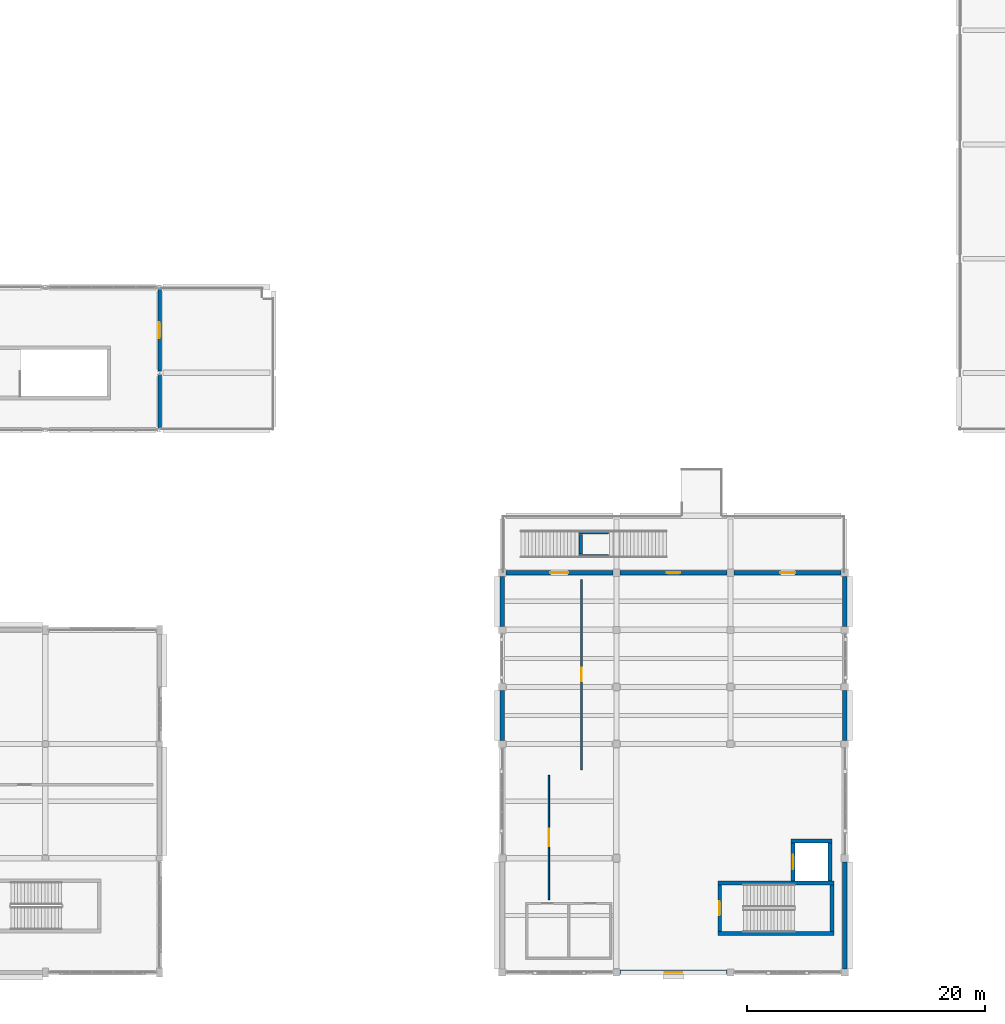
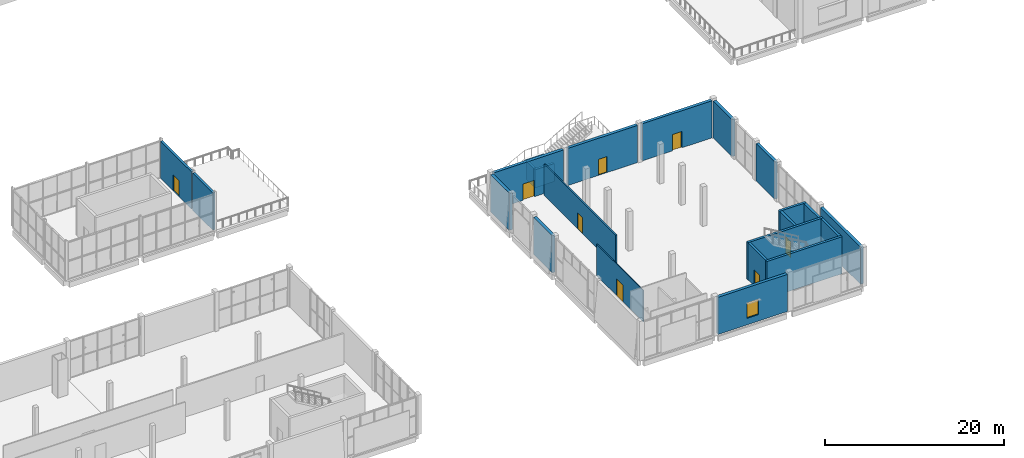
# One storey, part 55 of 83: 23 walls, 8 doors, 1 window, 9 openings.
"""IFC4 building model written with IfcOpenShell, lengths in metres."""

from ifc_helpers import new_model, si_unit, direction, frame, frame_2d, origin, place, context, subcontext, project, spatial, rectangle, extrude, material, layer, layer_set, type_object, element, fill, save


model = new_model("IFC4")

# Units and contexts
model_context = context("Model", 3, precision=1e-05, world=origin(), true_north=direction((0.0, 1.0)))
body_context = subcontext(model_context, "Body", "Model", "MODEL_VIEW")
ifc_project = project(units=[si_unit("LENGTHUNIT", "METRE"), si_unit("AREAUNIT", "SQUARE_METRE"), si_unit("VOLUMEUNIT", "CUBIC_METRE"), si_unit("PLANEANGLEUNIT", "RADIAN"), si_unit("MASSUNIT", "GRAM", prefix="KILO")], contexts=[model_context])

# Site, building, storey
site_placement = place(None, origin())
site = spatial("IfcSite", under=ifc_project, at=site_placement, CompositionType="ELEMENT")
building_placement = place(site_placement, origin())
building = spatial("IfcBuilding", under=site, at=building_placement, Name="Shalvenor Court Art Gallery", CompositionType="ELEMENT")
storey_placement = place(building_placement, frame((0.0, 0.0, 6.0)))
storey = spatial("IfcBuildingStorey", under=building, at=storey_placement, Name="L01", CompositionType="ELEMENT", Elevation=6.0)

# Walls
ifc_material_1 = material(Name="Concrete C40/50", Category="concrete")
ifc_layer_1 = layer(ifc_material_1, 0.31005859375, Name="Concrete C40/50")
ifc_layer_set_1 = layer_set([ifc_layer_1], Name="Concrete C40/50")
wall_type_1 = type_object("IfcWallType", Name="CW-W2", PredefinedType="SHEAR", material=ifc_layer_set_1)
wall_1_placement = place(storey_placement, frame((114.1279296875, 7.51708984375, 0.0), z_axis=(0.0, 0.0, 1.0), x_axis=(1.0, 0.0, 0.0)))
element("IfcWall", 1, at=wall_1_placement, inside=storey, type_object=wall_type_1, Name="L01 C4 Stair Core Shear Wall N", PredefinedType="SHEAR", context=body_context, shape_type="SweptSolid", body=[
    extrude(rectangle(XDim=9.744140625, YDim=0.31005859375, at=frame_2d((4.8720703125, 0.0))), origin(), (0.0, 0.0, 1.0), 5.080078125),
])
wall_2_placement = place(storey_placement, frame((123.717041015625, 7.362060546875, 0.0), z_axis=(0.0, 0.0, 1.0), x_axis=(0.0, -1.0, 0.0)))
element("IfcWall", 2, at=wall_2_placement, inside=storey, type_object=wall_type_1, Name="L01 C4 Stair Core Shear Wall E", PredefinedType="SHEAR", context=body_context, shape_type="SweptSolid", body=[
    extrude(rectangle(XDim=3.924072265625, YDim=0.31005859375, at=frame_2d((1.9619140625, 0.0))), origin(), (0.0, 0.0, 1.0), 5.080078125),
])
wall_3_placement = place(storey_placement, frame((123.8720703125, 3.282958984375, 0.0), z_axis=(0.0, 0.0, 1.0), x_axis=(-1.0, 0.0, 0.0)))
element("IfcWall", 3, at=wall_3_placement, inside=storey, type_object=wall_type_1, Name="L01 C4 Stair Core Shear Wall S", PredefinedType="SHEAR", context=body_context, shape_type="SweptSolid", body=[
    extrude(rectangle(XDim=9.744140625, YDim=0.31005859375, at=frame_2d((4.8720703125, 0.0))), origin(), (0.0, 0.0, 1.0), 5.080078125),
])

# Wall, opening, door
wall_4_placement = place(storey_placement, frame((114.282958984375, 3.43798828125, 0.0), z_axis=(0.0, 0.0, 1.0), x_axis=(0.0, 1.0, 0.0)))
wall_4 = element("IfcWall", 4, at=wall_4_placement, inside=storey, type_object=wall_type_1, Name="L01 C4 Stair Core Shear Wall W", PredefinedType="SHEAR", context=body_context, shape_type="SweptSolid", body=[
    extrude(rectangle(XDim=3.924072265625, YDim=0.31005859375, at=frame_2d((1.9619140625, 0.0))), origin(), (0.0, 0.0, 1.0), 5.080078125),
])
opening_1_placement = place(wall_4_placement, frame((1.362060546875, 0.0, 0.0)))
opening_1 = element("IfcOpeningElement", 5, at=opening_1_placement, cuts=wall_4, Name="Opening FD-01", PredefinedType="OPENING", context=body_context, shape_type="SweptSolid", body=[
    extrude(rectangle(XDim=1.199951171875, YDim=2.199951171875, at=frame_2d((0.60009765625, 1.10009765625))), frame((0.0, 0.1650390625, 0.0), z_axis=(0.0, -1.0, 0.0), x_axis=(1.0, 0.0, 0.0)), (0.0, 0.0, 1.0), 0.330078125),
])
ifc_material_2 = material(Name="Fire-rated steel stair doorset", Category="steel")
door_type_1 = type_object("IfcDoorType", Name="FD-01", OperationType="NOTDEFINED", PredefinedType="DOOR", material=ifc_material_2)
door_1_placement = place(opening_1_placement, origin())
door_1 = element("IfcDoor", 6, at=door_1_placement, inside=storey, type_object=door_type_1, Name="DR-ST-L01-C4 L01 ST-04 Fire Stair Door", OperationType="SINGLE_SWING_RIGHT", OverallHeight=2.199951171875, OverallWidth=1.199951171875, PredefinedType="DOOR", context=body_context, shape_type="SweptSolid", body=[
    extrude(rectangle(XDim=1.199951171875, YDim=2.199951171875, at=frame_2d((0.60009765625, 1.10009765625))), frame((0.0, 0.02490234375, 0.0), z_axis=(0.0, -1.0, 0.0), x_axis=(1.0, 0.0, 0.0)), (0.0, 0.0, 1.0), 0.050048828125),
])
fill(opening_1, door_1)

# Walls
wall_5_placement = place(storey_placement, frame((120.2900390625, 11.054931640625, 0.0), z_axis=(0.0, 0.0, 1.0), x_axis=(1.0, 0.0, 0.0)))
element("IfcWall", 7, at=wall_5_placement, inside=storey, type_object=wall_type_1, Name="L01 PL-02 Lift Shaft Wall N", PredefinedType="SHEAR", context=body_context, shape_type="SweptSolid", body=[
    extrude(rectangle(XDim=3.419921875, YDim=0.31005859375, at=frame_2d((1.7099609375, 0.0))), origin(), (0.0, 0.0, 1.0), 5.080078125),
])
wall_6_placement = place(storey_placement, frame((123.554931640625, 10.89990234375, 0.0), z_axis=(0.0, 0.0, 1.0), x_axis=(0.0, -1.0, 0.0)))
element("IfcWall", 8, at=wall_6_placement, inside=storey, type_object=wall_type_1, Name="L01 PL-02 Lift Shaft Wall E", PredefinedType="SHEAR", context=body_context, shape_type="SweptSolid", body=[
    extrude(rectangle(XDim=3.227783203125, YDim=0.31005859375, at=frame_2d((1.61376953125, 0.0))), origin(), (0.0, 0.0, 1.0), 5.080078125),
])

# Wall, opening, door
wall_7_placement = place(storey_placement, frame((120.445068359375, 7.672119140625, 0.0), z_axis=(0.0, 0.0, 1.0), x_axis=(0.0, 1.0, 0.0)))
wall_7 = element("IfcWall", 9, at=wall_7_placement, inside=storey, type_object=wall_type_1, Name="L01 PL-02 Lift Shaft Wall W", PredefinedType="SHEAR", context=body_context, shape_type="SweptSolid", body=[
    extrude(rectangle(XDim=3.227783203125, YDim=0.31005859375, at=frame_2d((1.61376953125, 0.0))), origin(), (0.0, 0.0, 1.0), 5.080078125),
])
opening_2_placement = place(wall_7_placement, frame((1.013916015625, 0.0, 0.0)))
opening_2 = element("IfcOpeningElement", 10, at=opening_2_placement, cuts=wall_7, Name="Opening LD-02", PredefinedType="OPENING", context=body_context, shape_type="SweptSolid", body=[
    extrude(rectangle(XDim=1.199951171875, YDim=2.199951171875, at=frame_2d((0.60009765625, 1.10009765625))), frame((0.0, 0.1650390625, 0.0), z_axis=(0.0, -1.0, 0.0), x_axis=(1.0, 0.0, 0.0)), (0.0, 0.0, 1.0), 0.330078125),
])
ifc_material_3 = material(Name="Brushed stainless passenger lift sliding landing door", Category="steel")
door_type_2 = type_object("IfcDoorType", Name="LD-02", OperationType="NOTDEFINED", PredefinedType="DOOR", material=ifc_material_3)
door_2_placement = place(opening_2_placement, origin())
door_2 = element("IfcDoor", 11, at=door_2_placement, inside=storey, type_object=door_type_2, Name="DR-LD-L01-PL-02 L01 PL-02 Lift Landing Sliding Door", OperationType="DOUBLE_DOOR_SLIDING", OverallHeight=2.199951171875, OverallWidth=1.199951171875, PredefinedType="DOOR", context=body_context, shape_type="SweptSolid", body=[
    extrude(rectangle(XDim=1.199951171875, YDim=2.199951171875, at=frame_2d((0.60009765625, 1.10009765625))), frame((0.0, 0.02490234375, 0.0), z_axis=(0.0, -1.0, 0.0), x_axis=(1.0, 0.0, 0.0)), (0.0, 0.0, 1.0), 0.050048828125),
])
fill(opening_2, door_2)

# Walls
ifc_material_4 = material(Name="Concrete C40/50", Category="concrete")
ifc_layer_2 = layer(ifc_material_4, 0.31005859375, Name="Concrete C40/50")
ifc_layer_set_2 = layer_set([ifc_layer_2], Name="Concrete C40/50")
wall_type_2 = type_object("IfcWallType", Name="CW-W4", PredefinedType="SHEAR", material=ifc_layer_set_2)
for number, where, z_axis, x_axis, name in (
    (12, (102.449951171875, 35.0, 0.0), (0.0, 0.0, 1.0), (1.0, 0.0, 0.0), "L01 ST-T3 Terrace Stair Support Pier S"),
    (13, (104.949951171875, 37.0, 0.0), (0.0, 0.0, 1.0), (-1.0, 0.0, 0.0), "L01 ST-T3 Terrace Stair Support Pier N"),
):
    element("IfcWall", number, at=place(storey_placement, frame(where, z_axis=z_axis, x_axis=x_axis)), inside=storey, type_object=wall_type_2, Name=name, PredefinedType="SHEAR", context=body_context, shape_type="SweptSolid", body=[
        extrude(rectangle(XDim=2.5, YDim=0.31005859375, at=frame_2d((1.25, 0.0))), origin(), (0.0, 0.0, 1.0), 2.485107421875),
    ])
wall_8_placement = place(storey_placement, frame((102.60009765625, 35.169921875, 0.0), z_axis=(0.0, 0.0, 1.0), x_axis=(0.0, 1.0, 0.0)))
element("IfcWall", 14, at=wall_8_placement, inside=storey, type_object=wall_type_2, Name="L01 ST-T3 Terrace Stair Support Pier W", PredefinedType="SHEAR", context=body_context, shape_type="SweptSolid", body=[
    extrude(rectangle(XDim=1.66015625, YDim=0.31005859375, at=frame_2d((0.830078125, 0.0))), origin(), (0.0, 0.0, 1.0), 2.485107421875),
])

# Wall, opening, door
ifc_material_5 = material(Name="Concrete C40/50", Category="concrete")
ifc_layer_3 = layer(ifc_material_5, 0.3798828125, Name="Concrete C40/50")
ifc_layer_set_3 = layer_set([ifc_layer_3], Name="Concrete C40/50")
wall_type_3 = type_object("IfcWallType", Name="EW-03", PredefinedType="SOLIDWALL", material=ifc_layer_set_3)
wall_9_placement = place(storey_placement, frame((96.300048828125, 33.60009765625, 0.0), z_axis=(0.0, 0.0, 1.0), x_axis=(1.0, 0.0, 0.0)))
wall_9 = element("IfcWall", 15, at=wall_9_placement, inside=storey, type_object=wall_type_3, Name="L01 V3 Exterior Wall WL-L01-0188", PredefinedType="SOLIDWALL", context=body_context, shape_type="SweptSolid", body=[
    extrude(rectangle(XDim=9.0, YDim=0.3798828125, at=frame_2d((4.5, 0.0))), origin(), (0.0, 0.0, 1.0), 5.080078125),
])
opening_3_placement = place(wall_9_placement, frame((3.75, 0.0, 0.0)))
opening_3 = element("IfcOpeningElement", 16, at=opening_3_placement, cuts=wall_9, Name="Opening TD-02", PredefinedType="OPENING", context=body_context, shape_type="SweptSolid", body=[
    extrude(rectangle(XDim=1.5, YDim=2.25, at=frame_2d((0.75, 1.125))), frame((0.0, 0.199951171875, 0.0), z_axis=(0.0, -1.0, 0.0), x_axis=(1.0, 0.0, 0.0)), (0.0, 0.0, 1.0), 0.39990234375),
])
ifc_material_6 = material(Name="Anodised aluminium glazed terrace door", Category="aluminium")
door_type_3 = type_object("IfcDoorType", Name="TD-02", OperationType="NOTDEFINED", PredefinedType="DOOR", material=ifc_material_6)
door_3_placement = place(opening_3_placement, origin())
door_3 = element("IfcDoor", 17, at=door_3_placement, inside=storey, type_object=door_type_3, Name="DR-TR-032 L01 Gallery Terrace Door", OperationType="DOUBLE_DOOR_SINGLE_SWING", OverallHeight=2.25, OverallWidth=1.5, PredefinedType="DOOR", context=body_context, shape_type="SweptSolid", body=[
    extrude(rectangle(XDim=1.5, YDim=2.25, at=frame_2d((0.75, 1.125))), frame((0.0, 0.02490234375, 0.0), z_axis=(0.0, -1.0, 0.0), x_axis=(1.0, 0.0, 0.0)), (0.0, 0.0, 1.0), 0.050048828125),
])
fill(opening_3, door_3)

wall_10_placement = place(storey_placement, frame((105.89990234375, 33.60009765625, 0.0), z_axis=(0.0, 0.0, 1.0), x_axis=(1.0, 0.0, 0.0)))
wall_10 = element("IfcWall", 18, at=wall_10_placement, inside=storey, type_object=wall_type_3, Name="L01 V3 Exterior Wall WL-L01-0189", PredefinedType="SOLIDWALL", context=body_context, shape_type="SweptSolid", body=[
    extrude(rectangle(XDim=9.0, YDim=0.3798828125, at=frame_2d((4.5, 0.0))), origin(), (0.0, 0.0, 1.0), 5.080078125),
])
opening_4_placement = place(wall_10_placement, frame((3.949951171875, 0.0, 0.0)))
opening_4 = element("IfcOpeningElement", 19, at=opening_4_placement, cuts=wall_10, Name="Opening TD-03", PredefinedType="OPENING", context=body_context, shape_type="SweptSolid", body=[
    extrude(rectangle(XDim=1.10009765625, YDim=2.199951171875, at=frame_2d((0.550048828125, 1.10009765625))), frame((0.0, 0.199951171875, 0.0), z_axis=(0.0, -1.0, 0.0), x_axis=(1.0, 0.0, 0.0)), (0.0, 0.0, 1.0), 0.39990234375),
])
ifc_material_7 = material(Name="Anodised aluminium glazed terrace door", Category="aluminium")
door_type_4 = type_object("IfcDoorType", Name="TD-03", OperationType="NOTDEFINED", PredefinedType="DOOR", material=ifc_material_7)
door_4_placement = place(opening_4_placement, origin())
door_4 = element("IfcDoor", 20, at=door_4_placement, inside=storey, type_object=door_type_4, Name="DR-TR-033 L01 Gallery Terrace Door", OperationType="SINGLE_SWING_RIGHT", OverallHeight=2.199951171875, OverallWidth=1.10009765625, PredefinedType="DOOR", context=body_context, shape_type="SweptSolid", body=[
    extrude(rectangle(XDim=1.10009765625, YDim=2.199951171875, at=frame_2d((0.550048828125, 1.10009765625))), frame((0.0, 0.02490234375, 0.0), z_axis=(0.0, -1.0, 0.0), x_axis=(1.0, 0.0, 0.0)), (0.0, 0.0, 1.0), 0.050048828125),
])
fill(opening_4, door_4)

wall_11_placement = place(storey_placement, frame((115.5, 33.60009765625, 0.0), z_axis=(0.0, 0.0, 1.0), x_axis=(1.0, 0.0, 0.0)))
wall_11 = element("IfcWall", 21, at=wall_11_placement, inside=storey, type_object=wall_type_3, Name="L01 V3 Exterior Wall WL-L01-0190", PredefinedType="SOLIDWALL", context=body_context, shape_type="SweptSolid", body=[
    extrude(rectangle(XDim=9.0, YDim=0.3798828125, at=frame_2d((4.5, 0.0))), origin(), (0.0, 0.0, 1.0), 5.080078125),
])
opening_5_placement = place(wall_11_placement, frame((3.875, 0.0, 0.0)))
opening_5 = element("IfcOpeningElement", 22, at=opening_5_placement, cuts=wall_11, Name="Opening TD-04", PredefinedType="OPENING", context=body_context, shape_type="SweptSolid", body=[
    extrude(rectangle(XDim=1.25, YDim=2.25, at=frame_2d((0.625, 1.125))), frame((0.0, 0.199951171875, 0.0), z_axis=(0.0, -1.0, 0.0), x_axis=(1.0, 0.0, 0.0)), (0.0, 0.0, 1.0), 0.39990234375),
])
ifc_material_8 = material(Name="Anodised aluminium glazed terrace door", Category="aluminium")
door_type_5 = type_object("IfcDoorType", Name="TD-04", OperationType="NOTDEFINED", PredefinedType="DOOR", material=ifc_material_8)
door_5_placement = place(opening_5_placement, origin())
door_5 = element("IfcDoor", 23, at=door_5_placement, inside=storey, type_object=door_type_5, Name="DR-TR-034 L01 Gallery Terrace Door", OperationType="SINGLE_SWING_LEFT", OverallHeight=2.25, OverallWidth=1.25, PredefinedType="DOOR", context=body_context, shape_type="SweptSolid", body=[
    extrude(rectangle(XDim=1.25, YDim=2.25, at=frame_2d((0.625, 1.125))), frame((0.0, 0.02490234375, 0.0), z_axis=(0.0, -1.0, 0.0), x_axis=(1.0, 0.0, 0.0)), (0.0, 0.0, 1.0), 0.050048828125),
])
fill(opening_5, door_5)

# Walls
for number, where, z_axis, x_axis, name in (
    (24, (124.800048828125, 33.300048828125, 0.0), (0.0, 0.0, 1.0), (0.0, -1.0, 0.0), "L01 V3 Exterior Wall WL-L01-0191"),
    (25, (124.800048828125, 23.699951171875, 0.0), (0.0, 0.0, 1.0), (0.0, -1.0, 0.0), "L01 V3 Exterior Wall WL-L01-0192"),
):
    element("IfcWall", number, at=place(storey_placement, frame(where, z_axis=z_axis, x_axis=x_axis)), inside=storey, type_object=wall_type_3, Name=name, PredefinedType="SOLIDWALL", context=body_context, shape_type="SweptSolid", body=[
        extrude(rectangle(XDim=4.199951171875, YDim=0.3798828125, at=frame_2d((2.10009765625, 0.0))), origin(), (0.0, 0.0, 1.0), 5.080078125),
    ])
wall_12_placement = place(storey_placement, frame((124.800048828125, 9.300048828125, 0.0), z_axis=(0.0, 0.0, 1.0), x_axis=(0.0, -1.0, 0.0)))
element("IfcWall", 26, at=wall_12_placement, inside=storey, type_object=wall_type_3, Name="L01 V3 Exterior Wall WL-L01-0193", PredefinedType="SOLIDWALL", context=body_context, shape_type="SweptSolid", body=[
    extrude(rectangle(XDim=9.0, YDim=0.3798828125, at=frame_2d((4.5, 0.0))), origin(), (0.0, 0.0, 1.0), 5.080078125),
])

# Wall, opening, window
wall_13_placement = place(storey_placement, frame((114.89990234375, 0.0, 0.0), z_axis=(0.0, 0.0, 1.0), x_axis=(-1.0, 0.0, 0.0)))
wall_13 = element("IfcWall", 27, at=wall_13_placement, inside=storey, type_object=wall_type_3, Name="L01 V3 Exterior Wall WL-L01-0194", PredefinedType="SOLIDWALL", context=body_context, shape_type="SweptSolid", body=[
    extrude(rectangle(XDim=9.0, YDim=0.3798828125, at=frame_2d((4.5, 0.0))), origin(), (0.0, 0.0, 1.0), 5.080078125),
])
opening_6_placement = place(wall_13_placement, frame((3.75, 0.0, 0.89990234375)))
opening_6 = element("IfcOpeningElement", 28, at=opening_6_placement, cuts=wall_13, Name="Opening WN-07", PredefinedType="OPENING", context=body_context, shape_type="SweptSolid", body=[
    extrude(rectangle(XDim=1.5, YDim=2.10009765625, at=frame_2d((0.75, 1.050048828125))), frame((0.0, 0.199951171875, 0.0), z_axis=(0.0, -1.0, 0.0), x_axis=(1.0, 0.0, 0.0)), (0.0, 0.0, 1.0), 0.39990234375),
])
ifc_material_9 = material(Name="Low-iron solar-control double IGU", Category="glass")
window_type = type_object("IfcWindowType", Name="WN-07", PartitioningType="SINGLE_PANEL", PredefinedType="WINDOW", material=ifc_material_9)
window_placement = place(opening_6_placement, origin())
window = element("IfcWindow", 29, at=window_placement, inside=storey, type_object=window_type, Name="L01 Window WIN-L01-0051", OverallHeight=2.10009765625, OverallWidth=1.5, PartitioningType="SINGLE_PANEL", PredefinedType="WINDOW", context=body_context, shape_type="SweptSolid", body=[
    extrude(rectangle(XDim=1.5, YDim=2.10009765625, at=frame_2d((0.75, 1.050048828125))), frame((0.0, 0.030029296875, 0.0), z_axis=(0.0, -1.0, 0.0), x_axis=(1.0, 0.0, 0.0)), (0.0, 0.0, 1.0), 0.06005859375),
])
fill(opening_6, window)

# Walls
for number, where, z_axis, x_axis, name in (
    (30, (96.0, 19.5, 0.0), (0.0, 0.0, 1.0), (0.0, 1.0, 0.0), "L01 V3 Exterior Wall WL-L01-0196"),
    (31, (96.0, 29.10009765625, 0.0), (0.0, 0.0, 1.0), (0.0, 1.0, 0.0), "L01 V3 Exterior Wall WL-L01-0197"),
):
    element("IfcWall", number, at=place(storey_placement, frame(where, z_axis=z_axis, x_axis=x_axis)), inside=storey, type_object=wall_type_3, Name=name, PredefinedType="SOLIDWALL", context=body_context, shape_type="SweptSolid", body=[
        extrude(rectangle(XDim=4.199951171875, YDim=0.3798828125, at=frame_2d((2.10009765625, 0.0))), origin(), (0.0, 0.0, 1.0), 5.080078125),
    ])

# Wall, opening, door
ifc_material_10 = material(Name="Concrete C40/50", Category="concrete")
ifc_layer_4 = layer(ifc_material_10, 0.2900390625, Name="Concrete C40/50")
ifc_layer_set_4 = layer_set([ifc_layer_4], Name="Concrete C40/50")
wall_type_4 = type_object("IfcWallType", Name="EW-05", PredefinedType="SOLIDWALL", material=ifc_layer_set_4)
wall_14_placement = place(storey_placement, frame((67.199951171875, 57.449951171875, 0.0), z_axis=(0.0, 0.0, 1.0), x_axis=(0.0, -1.0, 0.0)))
wall_14 = element("IfcWall", 32, at=wall_14_placement, inside=storey, type_object=wall_type_4, Name="L01 V6 Exterior Wall WL-L01-0329", PredefinedType="SOLIDWALL", context=body_context, shape_type="SweptSolid", body=[
    extrude(rectangle(XDim=6.89990234375, YDim=0.2900390625, at=frame_2d((3.449951171875, 0.0))), origin(), (0.0, 0.0, 1.0), 5.080078125),
])
opening_7_placement = place(wall_14_placement, frame((2.77490234375, 0.0, 0.0)))
opening_7 = element("IfcOpeningElement", 33, at=opening_7_placement, cuts=wall_14, Name="Opening TD-06", PredefinedType="OPENING", context=body_context, shape_type="SweptSolid", body=[
    extrude(rectangle(XDim=1.35009765625, YDim=2.199951171875, at=frame_2d((0.675048828125, 1.10009765625))), frame((0.0, 0.155029296875, 0.0), z_axis=(0.0, -1.0, 0.0), x_axis=(1.0, 0.0, 0.0)), (0.0, 0.0, 1.0), 0.31005859375),
])
ifc_material_11 = material(Name="Anodised aluminium glazed terrace door", Category="aluminium")
door_type_6 = type_object("IfcDoorType", Name="TD-06", OperationType="NOTDEFINED", PredefinedType="DOOR", material=ifc_material_11)
door_6_placement = place(opening_7_placement, origin())
door_6 = element("IfcDoor", 34, at=door_6_placement, inside=storey, type_object=door_type_6, Name="DR-TR-060 L01 Gallery Terrace Door", OperationType="SINGLE_SWING_LEFT", OverallHeight=2.199951171875, OverallWidth=1.35009765625, PredefinedType="DOOR", context=body_context, shape_type="SweptSolid", body=[
    extrude(rectangle(XDim=1.35009765625, YDim=2.199951171875, at=frame_2d((0.675048828125, 1.10009765625))), frame((0.0, 0.02490234375, 0.0), z_axis=(0.0, -1.0, 0.0), x_axis=(1.0, 0.0, 0.0)), (0.0, 0.0, 1.0), 0.050048828125),
])
fill(opening_7, door_6)

# Wall
wall_15_placement = place(storey_placement, frame((67.199951171875, 50.25, 0.0), z_axis=(0.0, 0.0, 1.0), x_axis=(0.0, -1.0, 0.0)))
element("IfcWall", 35, at=wall_15_placement, inside=storey, type_object=wall_type_4, Name="L01 V6 Exterior Wall WL-L01-0330", PredefinedType="SOLIDWALL", context=body_context, shape_type="SweptSolid", body=[
    extrude(rectangle(XDim=4.5, YDim=0.2900390625, at=frame_2d((2.25, 0.0))), origin(), (0.0, 0.0, 1.0), 5.080078125),
])

# Wall, opening, door
ifc_material_12 = material(Name="Plywood-backed acoustic art-hanging partition", Category="wood")
ifc_layer_5 = layer(ifc_material_12, 0.179931640625, Name="Plywood-backed acoustic art-hanging partition")
ifc_layer_set_5 = layer_set([ifc_layer_5], Name="Plywood-backed acoustic art-hanging partition")
wall_type_5 = type_object("IfcWallType", Name="PT-01", PredefinedType="PARTITIONING", material=ifc_layer_set_5)
wall_16_placement = place(storey_placement, frame((102.679931640625, 17.030029296875, 0.0), z_axis=(0.0, 0.0, 1.0), x_axis=(0.0, 1.0, 0.0)))
wall_16 = element("IfcWall", 36, at=wall_16_placement, inside=storey, type_object=wall_type_5, Name="L01 Works On Paper Gallery Partition 629", PredefinedType="PARTITIONING", context=body_context, shape_type="SweptSolid", body=[
    extrude(rectangle(XDim=16.02001953125, YDim=0.179931640625, at=frame_2d((8.010009765625, 0.0))), origin(), (0.0, 0.0, 1.0), 4.304931640625),
])
opening_8_placement = place(wall_16_placement, frame((7.43505859375, 0.0, 0.0)))
opening_8 = element("IfcOpeningElement", 37, at=opening_8_placement, cuts=wall_16, Name="Opening ID-10", PredefinedType="OPENING", context=body_context, shape_type="SweptSolid", body=[
    extrude(rectangle(XDim=1.14990234375, YDim=2.199951171875, at=frame_2d((0.574951171875, 1.10009765625))), frame((0.0, 0.099853515625, 0.0), z_axis=(0.0, -1.0, 0.0), x_axis=(1.0, 0.0, 0.0)), (0.0, 0.0, 1.0), 0.199951171875),
])
ifc_material_13 = material(Name="Acoustic conservation lab single doorset", Category="steel")
door_type_7 = type_object("IfcDoorType", Name="ID-10", OperationType="NOTDEFINED", PredefinedType="DOOR", material=ifc_material_13)
door_7_placement = place(opening_8_placement, origin())
door_7 = element("IfcDoor", 38, at=door_7_placement, inside=storey, type_object=door_type_7, Name="DR-RM-L01-0160 L01 Works On Paper Gallery Door", OperationType="SINGLE_SWING_RIGHT", OverallHeight=2.199951171875, OverallWidth=1.14990234375, PredefinedType="DOOR", context=body_context, shape_type="SweptSolid", body=[
    extrude(rectangle(XDim=1.14990234375, YDim=2.199951171875, at=frame_2d((0.574951171875, 1.10009765625))), frame((0.0, 0.02490234375, 0.0), z_axis=(0.0, -1.0, 0.0), x_axis=(1.0, 0.0, 0.0)), (0.0, 0.0, 1.0), 0.050048828125),
])
fill(opening_8, door_7)

ifc_material_14 = material(Name="Lightweight office gypsum partition", Category="other")
ifc_layer_6 = layer(ifc_material_14, 0.1201171875, Name="Lightweight office gypsum partition")
ifc_layer_set_6 = layer_set([ifc_layer_6], Name="Lightweight office gypsum partition")
wall_type_6 = type_object("IfcWallType", Name="PT-05", PredefinedType="PARTITIONING", material=ifc_layer_set_6)
wall_17_placement = place(storey_placement, frame((99.919921875, 16.570068359375, 0.0), z_axis=(0.0, 0.0, 1.0), x_axis=(0.0, -1.0, 0.0)))
wall_17 = element("IfcWall", 39, at=wall_17_placement, inside=storey, type_object=wall_type_6, Name="L01 Sculpture Exhibition Hall Partition 628", PredefinedType="PARTITIONING", context=body_context, shape_type="SweptSolid", body=[
    extrude(rectangle(XDim=10.440185546875, YDim=0.1201171875, at=frame_2d((5.22021484375, 0.0))), origin(), (0.0, 0.0, 1.0), 4.304931640625),
])
opening_9_placement = place(wall_17_placement, frame((4.469970703125, 0.0, 0.0)))
opening_9 = element("IfcOpeningElement", 40, at=opening_9_placement, cuts=wall_17, Name="Opening ID-09", PredefinedType="OPENING", context=body_context, shape_type="SweptSolid", body=[
    extrude(rectangle(XDim=1.5, YDim=2.300048828125, at=frame_2d((0.75, 1.14990234375))), frame((0.0, 0.070068359375, 0.0), z_axis=(0.0, -1.0, 0.0), x_axis=(1.0, 0.0, 0.0)), (0.0, 0.0, 1.0), 0.14013671875),
])
ifc_material_15 = material(Name="Oak-veneered seminar double doorset", Category="wood")
door_type_8 = type_object("IfcDoorType", Name="ID-09", OperationType="NOTDEFINED", PredefinedType="DOOR", material=ifc_material_15)
door_8_placement = place(opening_9_placement, origin())
door_8 = element("IfcDoor", 41, at=door_8_placement, inside=storey, type_object=door_type_8, Name="DR-RM-L01-0159 L01 Sculpture Exhibition Hall Door", OperationType="DOUBLE_DOOR_SINGLE_SWING", OverallHeight=2.300048828125, OverallWidth=1.5, PredefinedType="DOOR", context=body_context, shape_type="SweptSolid", body=[
    extrude(rectangle(XDim=1.5, YDim=2.300048828125, at=frame_2d((0.75, 1.14990234375))), frame((0.0, 0.02490234375, 0.0), z_axis=(0.0, -1.0, 0.0), x_axis=(1.0, 0.0, 0.0)), (0.0, 0.0, 1.0), 0.050048828125),
])
fill(opening_9, door_8)

save(model, "model.ifc")
